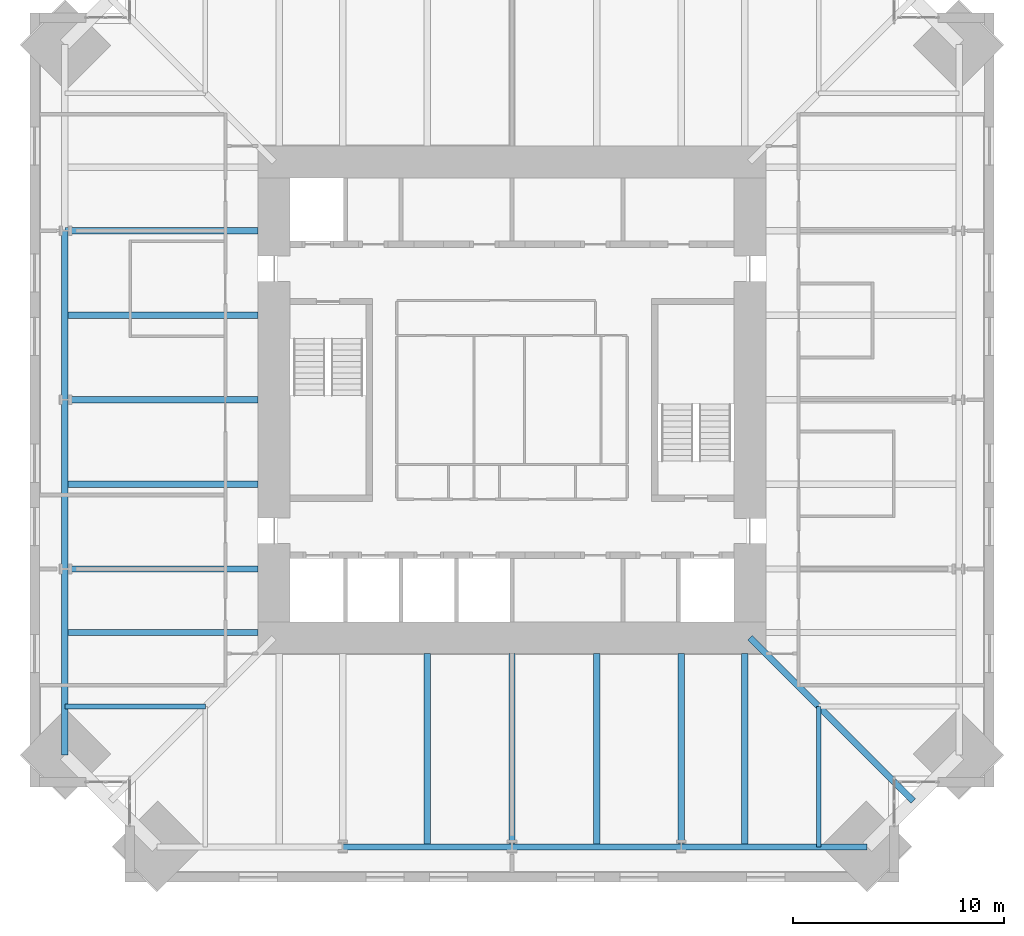
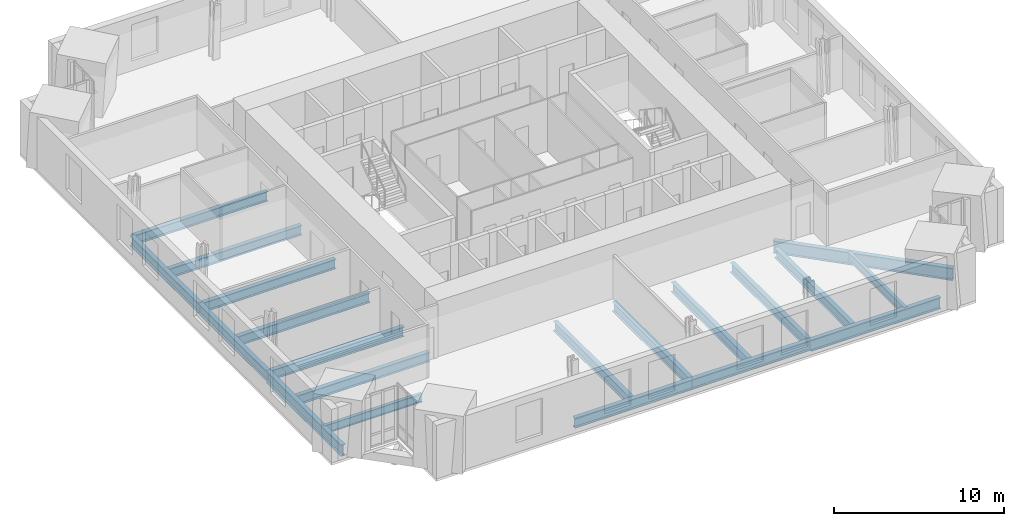
# One storey, part 3 of 15: 20 beams.
"""IFC4 building model written with IfcOpenShell, lengths in metres."""

from ifc_helpers import new_model, si_unit, direction, frame, origin, origin_2d, place, context, subcontext, project, spatial, i_section, extrude, material, material_profile, profile_set, type_object, element, save


model = new_model("IFC4")

# Units and contexts
model_context = context("Model", 3, precision=1e-05, world=origin(), true_north=direction((0.0, 1.0)))
body_context = subcontext(model_context, "Body", "Model", "MODEL_VIEW")
ifc_project = project(units=[si_unit("LENGTHUNIT", "METRE"), si_unit("AREAUNIT", "SQUARE_METRE"), si_unit("VOLUMEUNIT", "CUBIC_METRE"), si_unit("PLANEANGLEUNIT", "RADIAN"), si_unit("MASSUNIT", "GRAM", prefix="KILO")], contexts=[model_context])

# Site, building, storey
site_placement = place(None, origin())
site = spatial("IfcSite", under=ifc_project, at=site_placement, CompositionType="ELEMENT")
building_placement = place(site_placement, origin())
building = spatial("IfcBuilding", under=site, at=building_placement, Name="Peilmerk Tower", CompositionType="ELEMENT")
storey_placement = place(building_placement, frame((0.0, 0.0, 241.800048828125)))
storey = spatial("IfcBuildingStorey", under=building, at=storey_placement, Name="L53", CompositionType="ELEMENT", Elevation=241.800048828125)

# Beams
ifc_material = material(Name="Steel S355", Category="steel")
ifc_material_profile_1 = material_profile(ifc_material, i_section(OverallWidth=0.219970703125, OverallDepth=0.60009765625, WebThickness=0.011962890625, FlangeThickness=0.01904296875, at=origin_2d()), Name="IPE 600")
ifc_profile_set_1 = profile_set([ifc_material_profile_1], Name="Steel S355")
beam_type_1 = type_object("IfcBeamType", Name="B10 IPE 600 floor beam", PredefinedType="BEAM", material=ifc_profile_set_1)
for number, where, z_axis, x_axis, name in (
    (1, (14.5, -14.5, -0.469970703125), (0.0, -1.0, 0.0), (1.0, 0.0, 0.0), "Floor beam L53"),
    (2, (-14.5, -14.5, -0.469970703125), (-1.0, 0.0, 0.0), (0.0, -1.0, 0.0), "Floor beam L53"),
):
    element("IfcBeam", number, at=place(storey_placement, frame(where, z_axis=z_axis, x_axis=x_axis)), inside=storey, type_object=beam_type_1, Name=name, PredefinedType="BEAM", context=body_context, shape_type="SweptSolid", body=[
        extrude(i_section(OverallWidth=0.219970703125, OverallDepth=0.60009765625, WebThickness=0.011962890625, FlangeThickness=0.01904296875, at=origin_2d()), origin(), (0.0, 0.0, 1.0), 6.646728515625),
    ])
ifc_material_profile_2 = material_profile(ifc_material, i_section(OverallWidth=0.302978515625, OverallDepth=0.81396484375, WebThickness=0.02099609375, FlangeThickness=0.0400390625, at=origin_2d()), Name="HEM 800")
ifc_profile_set_2 = profile_set([ifc_material_profile_2], Name="Steel S355")
beam_type_2 = type_object("IfcBeamType", Name="B15 HEM 800 edge beam", PredefinedType="SPANDREL", material=ifc_profile_set_2)
for number, where, z_axis, x_axis, name in (
    (3, (8.0, -21.146728515625, -0.5771484375), (1.0, 0.0, 0.0), (0.0, 1.0, 0.0), "Edge beam L53"),
    (4, (-21.146728515625, -8.0, -0.5771484375), (0.0, -1.0, 0.0), (1.0, 0.0, 0.0), "Edge beam L53"),
):
    element("IfcBeam", number, at=place(storey_placement, frame(where, z_axis=z_axis, x_axis=x_axis)), inside=storey, type_object=beam_type_2, Name=name, PredefinedType="SPANDREL", context=body_context, shape_type="SweptSolid", body=[
        extrude(i_section(OverallWidth=0.302978515625, OverallDepth=0.81396484375, WebThickness=0.02099609375, FlangeThickness=0.0400390625, at=origin_2d()), origin(), (0.0, 0.0, 1.0), 8.796875),
    ])
ifc_material_profile_3 = material_profile(ifc_material, i_section(OverallWidth=0.300048828125, OverallDepth=0.68994140625, WebThickness=0.014404296875, FlangeThickness=0.027099609375, at=origin_2d()), Name="HEA 700")
ifc_profile_set_3 = profile_set([ifc_material_profile_3], Name="Steel S355")
beam_type_3 = type_object("IfcBeamType", Name="B16 HEA 700 floor beam", PredefinedType="BEAM", material=ifc_profile_set_3)
for number, where, z_axis, x_axis, name in (
    (5, (-4.0, -12.0, -0.51513671875), (0.0, -1.0, 0.0), (1.0, 0.0, 0.0), "Floor beam L53"),
    (6, (0.0, -12.0, -0.51513671875), (0.0, -1.0, 0.0), (1.0, 0.0, 0.0), "Floor beam L53"),
    (7, (4.0, -12.0, -0.51513671875), (0.0, -1.0, 0.0), (1.0, 0.0, 0.0), "Floor beam L53"),
    (8, (8.0, -12.0, -0.51513671875), (0.0, -1.0, 0.0), (1.0, 0.0, 0.0), "Floor beam L53"),
    (9, (11.0, -12.0, -0.51513671875), (0.0, -1.0, 0.0), (1.0, 0.0, 0.0), "Floor beam L53"),
    (10, (-12.0, 8.0, -0.51513671875), (-1.0, 0.0, 0.0), (0.0, -1.0, 0.0), "Floor beam L53"),
    (11, (-12.0, 4.0, -0.51513671875), (-1.0, 0.0, 0.0), (0.0, -1.0, 0.0), "Floor beam L53"),
    (12, (-12.0, 0.0, -0.51513671875), (-1.0, 0.0, 0.0), (0.0, -1.0, 0.0), "Floor beam L53"),
    (13, (-12.0, -4.0, -0.51513671875), (-1.0, 0.0, 0.0), (0.0, -1.0, 0.0), "Floor beam L53"),
    (14, (-12.0, -8.0, -0.51513671875), (-1.0, 0.0, 0.0), (0.0, -1.0, 0.0), "Floor beam L53"),
    (15, (-12.0, -11.0, -0.51513671875), (-1.0, 0.0, 0.0), (0.0, -1.0, 0.0), "Floor beam L53"),
):
    element("IfcBeam", number, at=place(storey_placement, frame(where, z_axis=z_axis, x_axis=x_axis)), inside=storey, type_object=beam_type_3, Name=name, PredefinedType="BEAM", context=body_context, shape_type="SweptSolid", body=[
        extrude(i_section(OverallWidth=0.300048828125, OverallDepth=0.68994140625, WebThickness=0.014404296875, FlangeThickness=0.027099609375, at=origin_2d()), origin(), (0.0, 0.0, 1.0), 9.146728515625),
    ])
ifc_material_profile_4 = material_profile(ifc_material, i_section(OverallWidth=0.303955078125, OverallDepth=0.716064453125, WebThickness=0.02099609375, FlangeThickness=0.0400390625, at=origin_2d()), Name="HEM 700")
ifc_profile_set_4 = profile_set([ifc_material_profile_4], Name="Steel S355")
beam_type_4 = type_object("IfcBeamType", Name="B30 HEM 700 edge beam", PredefinedType="SPANDREL", material=ifc_profile_set_4)
for number, where, z_axis, x_axis, name in (
    (16, (-8.0, -21.146728515625, -0.528076171875), (1.0, 0.0, 0.0), (0.0, 1.0, 0.0), "Edge beam L53"),
    (17, (0.0, -21.146728515625, -0.528076171875), (1.0, 0.0, 0.0), (0.0, 1.0, 0.0), "Edge beam L53"),
    (18, (-21.146728515625, 8.0, -0.528076171875), (0.0, -1.0, 0.0), (1.0, 0.0, 0.0), "Edge beam L53"),
    (19, (-21.146728515625, 0.0, -0.528076171875), (0.0, -1.0, 0.0), (1.0, 0.0, 0.0), "Edge beam L53"),
):
    element("IfcBeam", number, at=place(storey_placement, frame(where, z_axis=z_axis, x_axis=x_axis)), inside=storey, type_object=beam_type_4, Name=name, PredefinedType="SPANDREL", context=body_context, shape_type="SweptSolid", body=[
        extrude(i_section(OverallWidth=0.303955078125, OverallDepth=0.716064453125, WebThickness=0.02099609375, FlangeThickness=0.0400390625, at=origin_2d()), origin(), (0.0, 0.0, 1.0), 8.0),
    ])
ifc_material_profile_5 = material_profile(ifc_material, i_section(OverallWidth=0.300048828125, OverallDepth=0.889892578125, WebThickness=0.01611328125, FlangeThickness=0.030029296875, at=origin_2d()), Name="HEA 900")
ifc_profile_set_5 = profile_set([ifc_material_profile_5], Name="Steel S355")
beam_type_5 = type_object("IfcBeamType", Name="B4 HEA 900 floor beam", PredefinedType="BEAM", material=ifc_profile_set_5)
beam_placement = place(storey_placement, frame((11.25, -11.25, -0.614990234375), z_axis=(0.707106781187, -0.707106781187, 0.0), x_axis=(0.707106781187, 0.707106781187, 0.0)))
element("IfcBeam", 20, at=beam_placement, inside=storey, type_object=beam_type_5, Name="Corner girder L53", PredefinedType="BEAM", context=body_context, shape_type="SweptSolid", body=[
    extrude(i_section(OverallWidth=0.300048828125, OverallDepth=0.889892578125, WebThickness=0.01611328125, FlangeThickness=0.030029296875, at=origin_2d()), origin(), (0.0, 0.0, 1.0), 10.920166015625),
])

save(model, "model.ifc")
